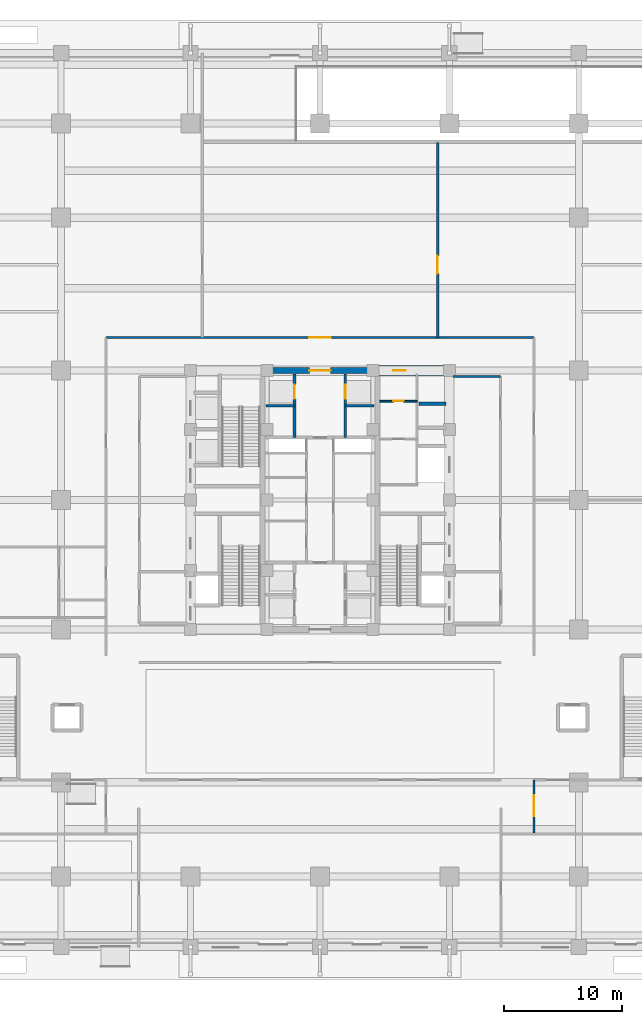
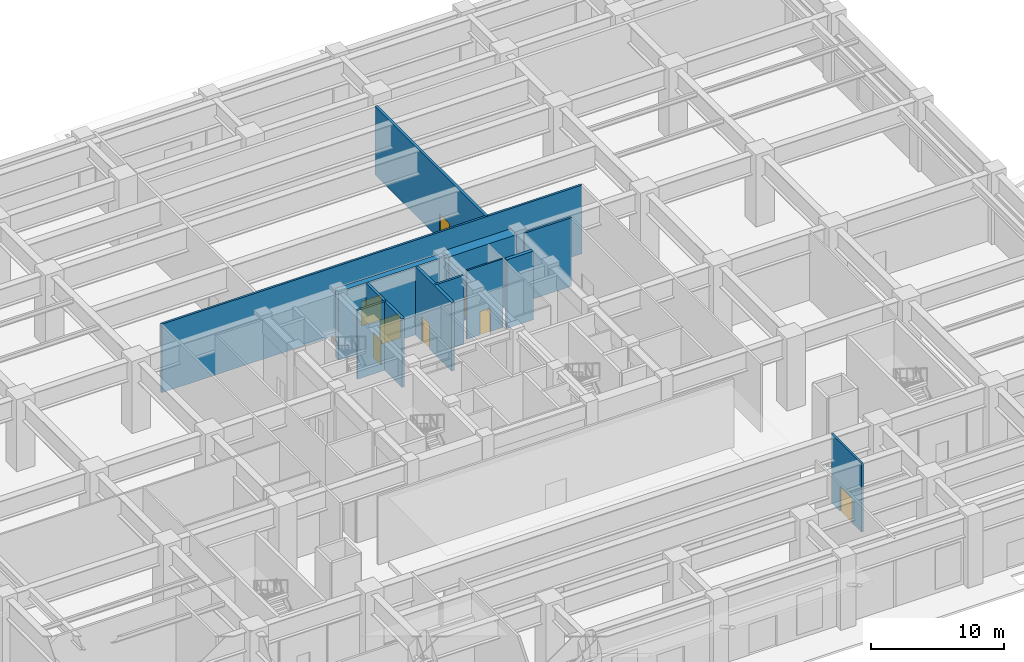
# One storey, part 11 of 21: 12 walls, 8 doors, 8 openings.
"""IFC4 building model written with IfcOpenShell, lengths in metres."""

from ifc_helpers import new_model, si_unit, direction, frame, frame_2d, origin, place, context, subcontext, project, spatial, rectangle, extrude, source, transform, mapped, material, layer, layer_set, type_object, element, fill, save


model = new_model("IFC4")

# Units and contexts
model_context = context("Model", 3, precision=1e-05, world=origin(), true_north=direction((0.0, 1.0)))
body_context = subcontext(model_context, "Body", "Model", "MODEL_VIEW")
ifc_project = project(units=[si_unit("LENGTHUNIT", "METRE"), si_unit("AREAUNIT", "SQUARE_METRE"), si_unit("VOLUMEUNIT", "CUBIC_METRE"), si_unit("PLANEANGLEUNIT", "RADIAN"), si_unit("MASSUNIT", "GRAM", prefix="KILO")], contexts=[model_context])

# Site, building, storey
site_placement = place(None, origin())
site = spatial("IfcSite", under=ifc_project, at=site_placement, CompositionType="ELEMENT")
building_placement = place(site_placement, origin())
building = spatial("IfcBuilding", under=site, at=building_placement, Name="Khorayat Bourse Tower", CompositionType="ELEMENT")
storey_placement = place(building_placement, origin())
storey = spatial("IfcBuildingStorey", under=building, at=storey_placement, Name="L00", CompositionType="ELEMENT", Elevation=0.0)

# Wall, opening, door
ifc_material_1 = material(Name="Concrete C72/90", Category="concrete")
ifc_layer_1 = layer(ifc_material_1, 0.89990234375)
ifc_layer_set_1 = layer_set([ifc_layer_1], Name="Concrete C72/90")
wall_type_1 = type_object("IfcWallType", Name="WAL-CORE-900", PredefinedType="SHEAR", material=ifc_layer_set_1)
shared_shape_1 = source(origin(), body_context, "Body", "SweptSolid", [
    extrude(rectangle(XDim=5.849853515625, YDim=0.89990234375, at=frame_2d((2.9248046875, 0.0))), origin(), (0.0, 0.0, 1.0), 6.280029296875),
])
wall_1_placement = place(storey_placement, frame((4.85009765625, 11.0, 0.0), z_axis=(0.0, 0.0, 1.0), x_axis=(1.0, 0.0, 0.0)))
wall_1 = element("IfcWall", 1, at=wall_1_placement, inside=storey, type_object=wall_type_1, Name="L00 Core Shear Wall PIER-EN", PredefinedType="SHEAR", context=body_context, shape_type="MappedRepresentation", body=[
    mapped(shared_shape_1, transform((0.0, 0.0, 0.0), scale=1.0)),
])
shared_shape_2 = source(origin(), body_context, "Body", "SweptSolid", [
    extrude(rectangle(XDim=1.050048828125, YDim=2.199951171875, at=frame_2d((0.52490234375, 1.10009765625))), frame((0.0, 0.4599609375, 0.0), z_axis=(0.0, -1.0, 0.0), x_axis=(1.0, 0.0, 0.0)), (0.0, 0.0, 1.0), 0.919921875),
])
opening_1_placement = place(wall_1_placement, frame((1.375, 0.0, 0.0)))
opening_1 = element("IfcOpeningElement", 2, at=opening_1_placement, cuts=wall_1, Name="Opening DI-04", PredefinedType="OPENING", context=body_context, shape_type="MappedRepresentation", body=[
    mapped(shared_shape_2, transform((0.0, 0.0, 0.0), scale=1.0)),
])
ifc_material_2 = material(Name="Fire-rated oak veneer suite entrance door")
door_type_1 = type_object("IfcDoorType", Name="DR-INT-SUITE-1050", OperationType="NOTDEFINED", PredefinedType="DOOR", material=ifc_material_2)
shared_shape_3 = source(origin(), body_context, "Body", "SweptSolid", [
    extrude(rectangle(XDim=1.050048828125, YDim=2.199951171875, at=frame_2d((0.52490234375, 1.10009765625))), frame((0.0, 0.02490234375, 0.0), z_axis=(0.0, -1.0, 0.0), x_axis=(1.0, 0.0, 0.0)), (0.0, 0.0, 1.0), 0.050048828125),
])
door_1_placement = place(opening_1_placement, origin())
door_1 = element("IfcDoor", 3, at=door_1_placement, inside=storey, type_object=door_type_1, Name="L00 Core Washroom Lobby Door", OperationType="SINGLE_SWING_LEFT", OverallHeight=2.199951171875, OverallWidth=1.050048828125, PredefinedType="DOOR", context=body_context, shape_type="MappedRepresentation", body=[
    mapped(shared_shape_3, transform((0.0, 0.0, 0.0), scale=1.0)),
])
fill(opening_1, door_1)

ifc_material_3 = material(Name="Concrete C52/65", Category="concrete")
ifc_layer_2 = layer(ifc_material_3, 0.5)
ifc_layer_set_2 = layer_set([ifc_layer_2], Name="Concrete C52/65")
wall_type_2 = type_object("IfcWallType", Name="WAL-CORE-500", PredefinedType="SHEAR", material=ifc_layer_set_2)
shared_shape_4 = source(origin(), body_context, "Body", "SweptSolid", [
    extrude(rectangle(XDim=9.2001953125, YDim=0.5, at=frame_2d((4.60009765625, 0.0))), origin(), (0.0, 0.0, 1.0), 6.280029296875),
])
wall_2_placement = place(storey_placement, frame((-4.60009765625, 11.0, 0.0), z_axis=(0.0, 0.0, 1.0), x_axis=(1.0, 0.0, 0.0)))
wall_2 = element("IfcWall", 4, at=wall_2_placement, inside=storey, type_object=wall_type_2, Name="L00 Core Shear Wall CORE-N", PredefinedType="SHEAR", context=body_context, shape_type="MappedRepresentation", body=[
    mapped(shared_shape_4, transform((0.0, 0.0, 0.0), scale=1.0)),
])
shared_shape_5 = source(origin(), body_context, "Body", "SweptSolid", [
    extrude(rectangle(XDim=1.800048828125, YDim=2.25, at=frame_2d((0.89990234375, 1.125))), frame((0.0, 0.260009765625, 0.0), z_axis=(0.0, -1.0, 0.0), x_axis=(1.0, 0.0, 0.0)), (0.0, 0.0, 1.0), 0.52001953125),
])
opening_2_placement = place(wall_2_placement, frame((3.699951171875, 0.0, 0.0)))
opening_2 = element("IfcOpeningElement", 5, at=opening_2_placement, cuts=wall_2, Name="Opening DI-03", PredefinedType="OPENING", context=body_context, shape_type="MappedRepresentation", body=[
    mapped(shared_shape_5, transform((0.0, 0.0, 0.0), scale=1.0)),
])
ifc_material_4 = material(Name="Fire-rated hardwood vision-panel double leaf", Category="wood")
door_type_2 = type_object("IfcDoorType", Name="DR-INT-CORR-1800", OperationType="NOTDEFINED", PredefinedType="DOOR", material=ifc_material_4)
shared_shape_6 = source(origin(), body_context, "Body", "SweptSolid", [
    extrude(rectangle(XDim=1.800048828125, YDim=2.25, at=frame_2d((0.89990234375, 1.125))), frame((0.0, 0.02490234375, 0.0), z_axis=(0.0, -1.0, 0.0), x_axis=(1.0, 0.0, 0.0)), (0.0, 0.0, 1.0), 0.050048828125),
])
door_2_placement = place(opening_2_placement, origin())
door_2 = element("IfcDoor", 6, at=door_2_placement, inside=storey, type_object=door_type_2, Name="L00 Mid-Rise Lift Lobby Door", OperationType="SINGLE_SWING_RIGHT", OverallHeight=2.25, OverallWidth=1.800048828125, PredefinedType="DOOR", context=body_context, shape_type="MappedRepresentation", body=[
    mapped(shared_shape_6, transform((0.0, 0.0, 0.0), scale=1.0)),
])
fill(opening_2, door_2)

# Wall
ifc_material_5 = material(Name="Concrete C50/60", Category="concrete")
ifc_layer_3 = layer(ifc_material_5, 0.300048828125)
ifc_layer_set_3 = layer_set([ifc_layer_3], Name="Concrete C50/60")
wall_type_3 = type_object("IfcWallType", Name="WAL-SHAFT-300", PredefinedType="SHEAR", material=ifc_layer_set_3)
shared_shape_7 = source(origin(), body_context, "Body", "SweptSolid", [
    extrude(rectangle(XDim=2.300048828125, YDim=0.300048828125, at=frame_2d((1.14990234375, 0.0))), origin(), (0.0, 0.0, 1.0), 6.280029296875),
])
wall_3_placement = place(storey_placement, frame((8.39990234375, 8.199951171875, 0.0), z_axis=(0.0, 0.0, 1.0), x_axis=(1.0, 0.0, 0.0)))
element("IfcWall", 7, at=wall_3_placement, inside=storey, type_object=wall_type_3, Name="L00 Partition WAL-L00-EPIER-H34", PredefinedType="SHEAR", context=body_context, shape_type="MappedRepresentation", body=[
    mapped(shared_shape_7, transform((0.0, 0.0, 0.0), scale=1.0)),
])

# Wall, opening, door
ifc_material_6 = material(Name="Moisture-resistant masonry partition", Category="masonry")
ifc_layer_4 = layer(ifc_material_6, 0.139892578125)
ifc_layer_set_4 = layer_set([ifc_layer_4], Name="Moisture-resistant masonry partition")
wall_type_4 = type_object("IfcWallType", Name="WAL-PART-WET-140", PredefinedType="PARTITIONING", material=ifc_layer_set_4)
shared_shape_8 = source(origin(), body_context, "Body", "SweptSolid", [
    extrude(rectangle(XDim=3.14990234375, YDim=0.139892578125, at=frame_2d((1.574951171875, 0.0))), origin(), (0.0, 0.0, 1.0), 6.280029296875),
])
wall_4_placement = place(storey_placement, frame((5.10009765625, 8.39990234375, 0.0), z_axis=(0.0, 0.0, 1.0), x_axis=(1.0, 0.0, 0.0)))
wall_4 = element("IfcWall", 8, at=wall_4_placement, inside=storey, type_object=wall_type_4, Name="L00 Partition WAL-L00-ECW-TOP", PredefinedType="PARTITIONING", context=body_context, shape_type="MappedRepresentation", body=[
    mapped(shared_shape_8, transform((0.0, 0.0, 0.0), scale=1.0)),
])
shared_shape_9 = source(origin(), body_context, "Body", "SweptSolid", [
    extrude(rectangle(XDim=0.89990234375, YDim=2.14990234375, at=frame_2d((0.449951171875, 1.074951171875))), frame((0.0, 0.079833984375, 0.0), z_axis=(0.0, -1.0, 0.0), x_axis=(1.0, 0.0, 0.0)), (0.0, 0.0, 1.0), 0.159912109375),
])
opening_3_placement = place(wall_4_placement, frame((1.1298828125, 0.0, 0.0)))
opening_3 = element("IfcOpeningElement", 9, at=opening_3_placement, cuts=wall_4, Name="Opening DI-06", PredefinedType="OPENING", context=body_context, shape_type="MappedRepresentation", body=[
    mapped(shared_shape_9, transform((0.0, 0.0, 0.0), scale=1.0)),
])
ifc_material_7 = material(Name="Moisture-resistant laminate washroom door")
door_type_3 = type_object("IfcDoorType", Name="DR-INT-WC-900", OperationType="NOTDEFINED", PredefinedType="DOOR", material=ifc_material_7)
shared_shape_10 = source(origin(), body_context, "Body", "SweptSolid", [
    extrude(rectangle(XDim=0.89990234375, YDim=2.14990234375, at=frame_2d((0.449951171875, 1.074951171875))), frame((0.0, 0.02490234375, 0.0), z_axis=(0.0, -1.0, 0.0), x_axis=(1.0, 0.0, 0.0)), (0.0, 0.0, 1.0), 0.050048828125),
])
door_3_placement = place(opening_3_placement, origin())
door_3 = element("IfcDoor", 10, at=door_3_placement, inside=storey, type_object=door_type_3, Name="L00 Accessible WC Door", OperationType="SINGLE_SWING_LEFT", OverallHeight=2.14990234375, OverallWidth=0.89990234375, PredefinedType="DOOR", context=body_context, shape_type="MappedRepresentation", body=[
    mapped(shared_shape_10, transform((0.0, 0.0, 0.0), scale=1.0)),
])
fill(opening_3, door_3)

# Wall
ifc_material_8 = material(Name="Gypsum plasterboard acoustic stud wall")
ifc_layer_5 = layer(ifc_material_8, 0.179931640625)
ifc_layer_set_5 = layer_set([ifc_layer_5], Name="Gypsum plasterboard acoustic stud wall")
wall_type_5 = type_object("IfcWallType", Name="WAL-PART-CORR-180", PredefinedType="PARTITIONING", material=ifc_layer_set_5)
shared_shape_11 = source(origin(), body_context, "Body", "SweptSolid", [
    extrude(rectangle(XDim=4.050048828125, YDim=0.179931640625, at=frame_2d((2.02490234375, 0.0))), origin(), (0.0, 0.0, 1.0), 6.280029296875),
])
wall_5_placement = place(storey_placement, frame((11.300048828125, 10.5, 0.0), z_axis=(0.0, 0.0, 1.0), x_axis=(1.0, 0.0, 0.0)))
element("IfcWall", 11, at=wall_5_placement, inside=storey, type_object=wall_type_5, Name="L00 Partition WAL-L00-ELOB-N", PredefinedType="PARTITIONING", context=body_context, shape_type="MappedRepresentation", body=[
    mapped(shared_shape_11, transform((0.0, 0.0, 0.0), scale=1.0)),
])

# Wall, opening, door
shared_shape_12 = source(origin(), body_context, "Body", "SweptSolid", [
    extrude(rectangle(XDim=5.39990234375, YDim=0.25, at=frame_2d((2.699951171875, 0.0))), origin(), (0.0, 0.0, 1.0), 6.280029296875),
])
wall_6_placement = place(storey_placement, frame((-2.14990234375, 5.300048828125, 0.0), z_axis=(0.0, 0.0, 1.0), x_axis=(0.0, 1.0, 0.0)))
wall_6 = element("IfcWall", 12, at=wall_6_placement, inside=storey, type_object=wall_type_3, Name="L00 Partition WAL-L00-B2-W", PredefinedType="SHEAR", context=body_context, shape_type="MappedRepresentation", body=[
    mapped(shared_shape_12, transform((0.0, 0.0, 0.0), scale=1.0)),
])
shared_shape_13 = source(origin(), body_context, "Body", "SweptSolid", [
    extrude(rectangle(XDim=1.199951171875, YDim=2.300048828125, at=frame_2d((0.60009765625, 1.14990234375))), frame((0.0, 0.135009765625, 0.0), z_axis=(0.0, -1.0, 0.0), x_axis=(1.0, 0.0, 0.0)), (0.0, 0.0, 1.0), 0.27001953125),
])
opening_4_placement = place(wall_6_placement, frame((3.300048828125, 0.0, 0.0)))
opening_4 = element("IfcOpeningElement", 13, at=opening_4_placement, cuts=wall_6, Name="Opening LD-01", PredefinedType="OPENING", context=body_context, shape_type="MappedRepresentation", body=[
    mapped(shared_shape_13, transform((0.0, 0.0, 0.0), scale=1.0)),
])
ifc_material_9 = material(Name="Brushed bronze stainless-steel sliding door", Category="steel")
door_type_4 = type_object("IfcDoorType", Name="DR-LIFT-PASS-1200", OperationType="NOTDEFINED", PredefinedType="DOOR", material=ifc_material_9)
shared_shape_14 = source(origin(), body_context, "Body", "SweptSolid", [
    extrude(rectangle(XDim=1.199951171875, YDim=2.300048828125, at=frame_2d((0.60009765625, 1.14990234375))), frame((0.0, 0.02490234375, 0.0), z_axis=(0.0, -1.0, 0.0), x_axis=(1.0, 0.0, 0.0)), (0.0, 0.0, 1.0), 0.050048828125),
])
door_4_placement = place(opening_4_placement, origin())
door_4 = element("IfcDoor", 14, at=door_4_placement, inside=storey, type_object=door_type_4, Name="L00 Lift PL-M1 Sliding Landing Door", OperationType="SLIDING_TO_LEFT", OverallHeight=2.300048828125, OverallWidth=1.199951171875, PredefinedType="DOOR", context=body_context, shape_type="MappedRepresentation", body=[
    mapped(shared_shape_14, transform((0.0, 0.0, 0.0), scale=1.0)),
])
fill(opening_4, door_4)

wall_7_placement = place(storey_placement, frame((2.14990234375, 5.300048828125, 0.0), z_axis=(0.0, 0.0, 1.0), x_axis=(0.0, 1.0, 0.0)))
wall_7 = element("IfcWall", 15, at=wall_7_placement, inside=storey, type_object=wall_type_3, Name="L00 Partition WAL-L00-B2-E", PredefinedType="SHEAR", context=body_context, shape_type="MappedRepresentation", body=[
    mapped(shared_shape_12, transform((0.0, 0.0, 0.0), scale=1.0)),
])
opening_5_placement = place(wall_7_placement, frame((3.300048828125, 0.0, 0.0)))
opening_5 = element("IfcOpeningElement", 16, at=opening_5_placement, cuts=wall_7, Name="Opening LD-01", PredefinedType="OPENING", context=body_context, shape_type="MappedRepresentation", body=[
    mapped(shared_shape_13, transform((0.0, 0.0, 0.0), scale=1.0)),
])
door_5_placement = place(opening_5_placement, origin())
door_5 = element("IfcDoor", 17, at=door_5_placement, inside=storey, type_object=door_type_4, Name="L00 Lift PL-M2 Sliding Landing Door", OperationType="SLIDING_TO_LEFT", OverallHeight=2.300048828125, OverallWidth=1.199951171875, PredefinedType="DOOR", context=body_context, shape_type="MappedRepresentation", body=[
    mapped(shared_shape_14, transform((0.0, 0.0, 0.0), scale=1.0)),
])
fill(opening_5, door_5)

# Walls
shared_shape_15 = source(origin(), body_context, "Body", "SweptSolid", [
    extrude(rectangle(XDim=2.4501953125, YDim=0.199951171875, at=frame_2d((1.22509765625, 0.0))), origin(), (0.0, 0.0, 1.0), 6.280029296875),
])
for number, where, z_axis, x_axis, name in (
    (18, (-4.60009765625, 8.0, 0.0), (0.0, 0.0, 1.0), (1.0, 0.0, 0.0), "L00 Partition WAL-L00-B2-MW"),
    (19, (2.14990234375, 8.0, 0.0), (0.0, 0.0, 1.0), (1.0, 0.0, 0.0), "L00 Partition WAL-L00-B2-ME"),
):
    element("IfcWall", number, at=place(storey_placement, frame(where, z_axis=z_axis, x_axis=x_axis)), inside=storey, type_object=wall_type_3, Name=name, PredefinedType="SHEAR", context=body_context, shape_type="MappedRepresentation", body=[
        mapped(shared_shape_15, transform((0.0, 0.0, 0.0), scale=1.0)),
    ])

# Wall, opening, door
shared_shape_16 = source(origin(), body_context, "Body", "SweptSolid", [
    extrude(rectangle(XDim=4.5, YDim=0.179931640625, at=frame_2d((2.25, 0.0))), origin(), (0.0, 0.0, 1.0), 6.280029296875),
])
wall_8_placement = place(storey_placement, frame((18.199951171875, -28.300048828125, 0.0), z_axis=(0.0, 0.0, 1.0), x_axis=(0.0, 1.0, 0.0)))
wall_8 = element("IfcWall", 20, at=wall_8_placement, inside=storey, type_object=wall_type_5, Name="L00 Partition WAL-L00-EEX-W", PredefinedType="PARTITIONING", context=body_context, shape_type="MappedRepresentation", body=[
    mapped(shared_shape_16, transform((0.0, 0.0, 0.0), scale=1.0)),
])
shared_shape_17 = source(origin(), body_context, "Body", "SweptSolid", [
    extrude(rectangle(XDim=1.800048828125, YDim=2.25, at=frame_2d((0.89990234375, 1.125))), frame((0.0, 0.099853515625, 0.0), z_axis=(0.0, -1.0, 0.0), x_axis=(1.0, 0.0, 0.0)), (0.0, 0.0, 1.0), 0.199951171875),
])
opening_6_placement = place(wall_8_placement, frame((1.39990234375, 0.0, 0.0)))
opening_6 = element("IfcOpeningElement", 21, at=opening_6_placement, cuts=wall_8, Name="Opening DI-03", PredefinedType="OPENING", context=body_context, shape_type="MappedRepresentation", body=[
    mapped(shared_shape_17, transform((0.0, 0.0, 0.0), scale=1.0)),
])
door_6_placement = place(opening_6_placement, origin())
door_6 = element("IfcDoor", 22, at=door_6_placement, inside=storey, type_object=door_type_2, Name="L00 East Exit Passage Concourse Door", OperationType="SINGLE_SWING_RIGHT", OverallHeight=2.25, OverallWidth=1.800048828125, PredefinedType="DOOR", context=body_context, shape_type="MappedRepresentation", body=[
    mapped(shared_shape_6, transform((0.0, 0.0, 0.0), scale=1.0)),
])
fill(opening_6, door_6)

ifc_material_10 = material(Name="Aerated concrete blockwork", Category="masonry")
ifc_layer_6 = layer(ifc_material_10, 0.219970703125)
ifc_layer_set_6 = layer_set([ifc_layer_6], Name="Aerated concrete blockwork")
wall_type_6 = type_object("IfcWallType", Name="WAL-PART-FF-220", PredefinedType="PARTITIONING", material=ifc_layer_set_6)
shared_shape_18 = source(origin(), body_context, "Body", "SweptSolid", [
    extrude(rectangle(XDim=16.599853515625, YDim=0.219970703125, at=frame_2d((8.2998046875, 0.0))), origin(), (0.0, 0.0, 1.0), 6.280029296875),
])
wall_9_placement = place(storey_placement, frame((10.0, 13.800048828125, 0.0), z_axis=(0.0, 0.0, 1.0), x_axis=(0.0, 1.0, 0.0)))
wall_9 = element("IfcWall", 23, at=wall_9_placement, inside=storey, type_object=wall_type_6, Name="L00 Partition WAL-L00-NSUB-W", PredefinedType="PARTITIONING", context=body_context, shape_type="MappedRepresentation", body=[
    mapped(shared_shape_18, transform((0.0, 0.0, 0.0), scale=1.0)),
])
shared_shape_19 = source(origin(), body_context, "Body", "SweptSolid", [
    extrude(rectangle(XDim=1.5, YDim=2.300048828125, at=frame_2d((0.75, 1.14990234375))), frame((0.0, 0.119873046875, 0.0), z_axis=(0.0, -1.0, 0.0), x_axis=(1.0, 0.0, 0.0)), (0.0, 0.0, 1.0), 0.239990234375),
])
opening_7_placement = place(wall_9_placement, frame((5.449951171875, 0.0, 0.0)))
opening_7 = element("IfcOpeningElement", 24, at=opening_7_placement, cuts=wall_9, Name="Opening DI-07", PredefinedType="OPENING", context=body_context, shape_type="MappedRepresentation", body=[
    mapped(shared_shape_19, transform((0.0, 0.0, 0.0), scale=1.0)),
])
ifc_material_11 = material(Name="Louvred fire-rated steel plant double door", Category="steel")
door_type_5 = type_object("IfcDoorType", Name="DR-INT-PLANT-1500", OperationType="NOTDEFINED", PredefinedType="DOOR", material=ifc_material_11)
shared_shape_20 = source(origin(), body_context, "Body", "SweptSolid", [
    extrude(rectangle(XDim=1.5, YDim=2.300048828125, at=frame_2d((0.75, 1.14990234375))), frame((0.0, 0.02490234375, 0.0), z_axis=(0.0, -1.0, 0.0), x_axis=(1.0, 0.0, 0.0)), (0.0, 0.0, 1.0), 0.050048828125),
])
door_7_placement = place(opening_7_placement, origin())
door_7 = element("IfcDoor", 25, at=door_7_placement, inside=storey, type_object=door_type_5, Name="L00 Switchroom Door", OperationType="SINGLE_SWING_RIGHT", OverallHeight=2.300048828125, OverallWidth=1.5, PredefinedType="DOOR", context=body_context, shape_type="MappedRepresentation", body=[
    mapped(shared_shape_20, transform((0.0, 0.0, 0.0), scale=1.0)),
])
fill(opening_7, door_7)

shared_shape_21 = source(origin(), body_context, "Body", "SweptSolid", [
    extrude(rectangle(XDim=36.39990234375, YDim=0.179931640625, at=frame_2d((18.199951171875, 0.0))), origin(), (0.0, 0.0, 1.0), 6.280029296875),
])
wall_10_placement = place(storey_placement, frame((-18.199951171875, 13.800048828125, 0.0), z_axis=(0.0, 0.0, 1.0), x_axis=(1.0, 0.0, 0.0)))
wall_10 = element("IfcWall", 26, at=wall_10_placement, inside=storey, type_object=wall_type_5, Name="L00 Partition WAL-L00-PCORRN-N", PredefinedType="PARTITIONING", context=body_context, shape_type="MappedRepresentation", body=[
    mapped(shared_shape_21, transform((0.0, 0.0, 0.0), scale=1.0)),
])
opening_8_placement = place(wall_10_placement, frame((17.300048828125, 0.0, 0.0)))
opening_8 = element("IfcOpeningElement", 27, at=opening_8_placement, cuts=wall_10, Name="Opening DI-03", PredefinedType="OPENING", context=body_context, shape_type="MappedRepresentation", body=[
    mapped(shared_shape_17, transform((0.0, 0.0, 0.0), scale=1.0)),
])
door_8_placement = place(opening_8_placement, origin())
door_8 = element("IfcDoor", 28, at=door_8_placement, inside=storey, type_object=door_type_2, Name="L00 North Foyer Concourse Door", OperationType="SINGLE_SWING_LEFT", OverallHeight=2.25, OverallWidth=1.800048828125, PredefinedType="DOOR", context=body_context, shape_type="MappedRepresentation", body=[
    mapped(shared_shape_6, transform((0.0, 0.0, 0.0), scale=1.0)),
])
fill(opening_8, door_8)

save(model, "model.ifc")
